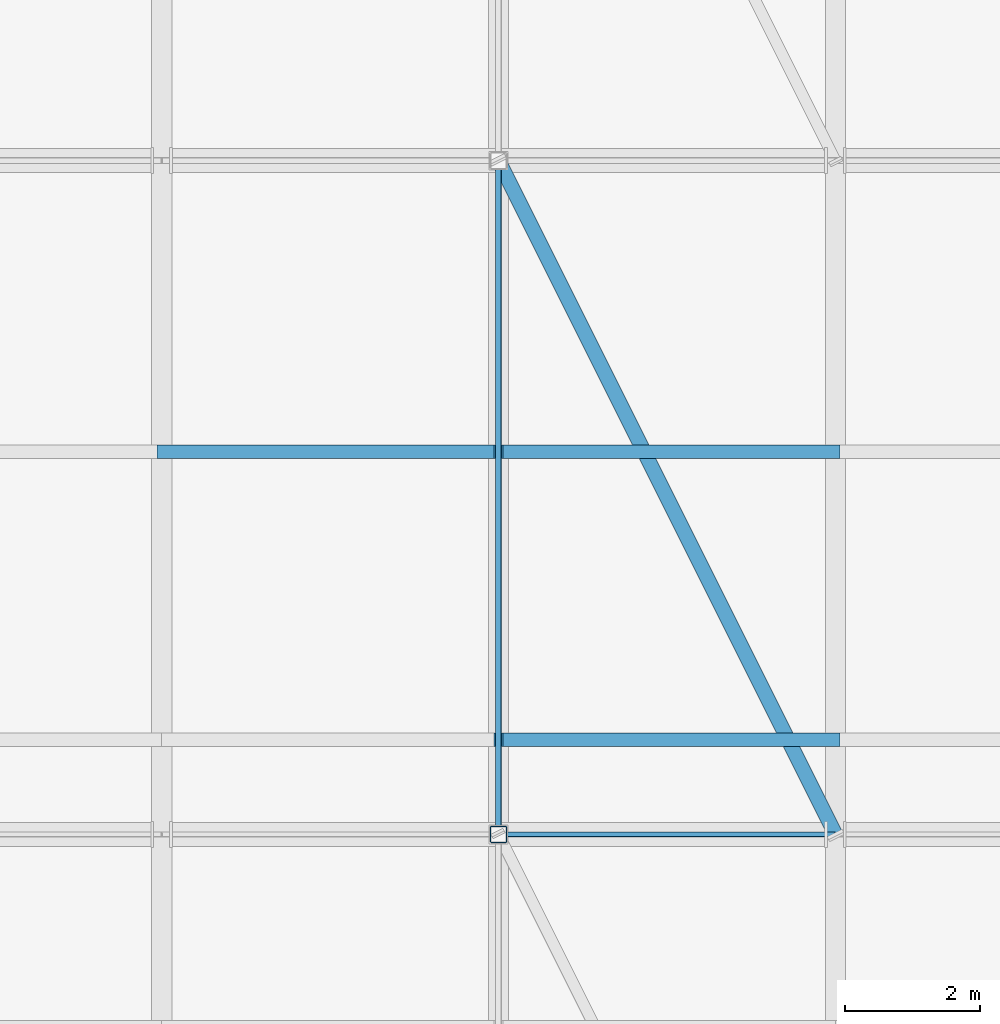
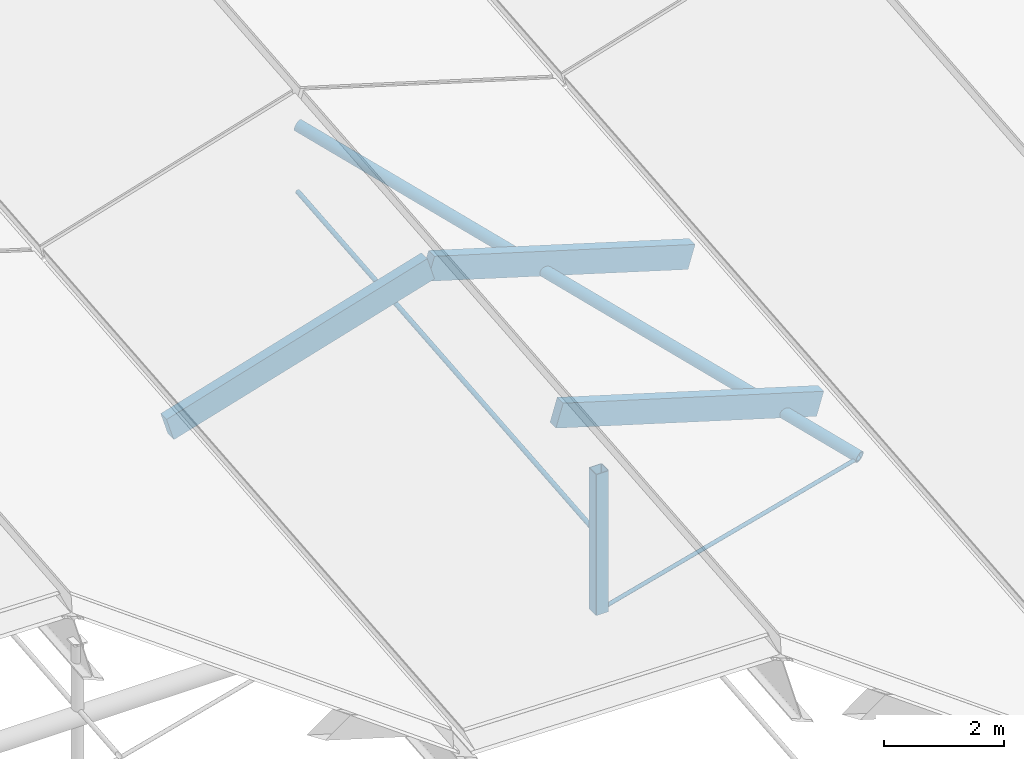
# One storey, part 38 of 90: 7 members.
"""IFC4 building model written with IfcOpenShell, lengths in metres."""

from ifc_helpers import new_model, si_unit, direction, frame, origin, origin_2d, place, context, subcontext, project, spatial, rectangle, hollow_rectangle, circle, hollow_circle, extrude, material, material_profile, profile_set, type_object, element, save


model = new_model("IFC4")

# Units and contexts
model_context = context("Model", 3, precision=1e-05, world=origin(), true_north=direction((0.0, 1.0)))
body_context = subcontext(model_context, "Body", "Model", "MODEL_VIEW")
ifc_project = project(units=[si_unit("LENGTHUNIT", "METRE"), si_unit("AREAUNIT", "SQUARE_METRE"), si_unit("VOLUMEUNIT", "CUBIC_METRE"), si_unit("PLANEANGLEUNIT", "RADIAN"), si_unit("MASSUNIT", "GRAM", prefix="KILO"), si_unit("THERMODYNAMICTEMPERATUREUNIT", "KELVIN"), si_unit("POWERUNIT", "WATT")], contexts=[model_context])

# Site, building, storey
site_placement = place(None, origin())
site = spatial("IfcSite", under=ifc_project, at=site_placement, CompositionType="ELEMENT")
building_placement = place(site_placement, origin())
building = spatial("IfcBuilding", under=site, at=building_placement, Name="Korenveer Ferry Terminal", CompositionType="ELEMENT")
storey_placement = place(building_placement, frame((0.0, 0.0, 22.199951171875)))
storey = spatial("IfcBuildingStorey", under=building, at=storey_placement, Name="RF", CompositionType="ELEMENT", Elevation=22.199951171875)

# Members
ifc_material_1 = material(Name="Steel S355", Category="steel")
ifc_material_profile_1 = material_profile(ifc_material_1, hollow_circle(Radius=0.109619140625, WallThickness=0.012451171875, at=origin_2d()), Name="CHS 219.1x12.5")
ifc_profile_set_1 = profile_set([ifc_material_profile_1], Name="Steel S355")
member_type_1 = type_object("IfcMemberType", Name="STR-BRC-CHS219", PredefinedType="BRACE", material=ifc_profile_set_1)
member_1_placement = place(storey_placement, frame((113.0, 70.0, -6.861572265625), z_axis=(-0.437110045644, 0.874220091289, 0.211362342872), x_axis=(-0.894427191, -0.4472135955, 0.0)))
element("IfcMember", 1, at=member_1_placement, inside=storey, type_object=member_type_1, Name="Roof wind brace BRCRF-B5-Y70", PredefinedType="BRACE", context=body_context, shape_type="SweptSolid", body=[
    extrude(hollow_circle(Radius=0.109619140625, WallThickness=0.012451171875, at=origin_2d()), origin(), (0.0, 0.0, 1.0), 11.438720703125),
])
ifc_material_2 = material(Name="High-strength steel S460", Category="steel")
ifc_material_profile_2 = material_profile(ifc_material_2, circle(Radius=0.0380859375, at=origin_2d()), Name="ROD D76")
ifc_profile_set_2 = profile_set([ifc_material_profile_2], Name="High-strength steel S460")
member_type_2 = type_object("IfcMemberType", Name="STR-CBL-D76", PredefinedType="USERDEFINED", material=ifc_profile_set_2)
member_2_placement = place(storey_placement, frame((113.0, 70.0, -6.861572265625), z_axis=(-0.965424337217, 0.0, -0.260683426993), x_axis=(0.0, -1.0, 0.0)))
element("IfcMember", 2, at=member_2_placement, inside=storey, type_object=member_type_2, Name="Roof tension tie cable 54", ObjectType="CABLE", PredefinedType="USERDEFINED", context=body_context, shape_type="SweptSolid", body=[
    extrude(circle(Radius=0.0380859375, at=origin_2d()), origin(), (0.0, 0.0, 1.0), 5.178955078125),
])
ifc_material_profile_3 = material_profile(ifc_material_2, circle(Radius=0.044921875, at=origin_2d()), Name="ROD D90")
ifc_profile_set_3 = profile_set([ifc_material_profile_3], Name="High-strength steel S460")
member_type_3 = type_object("IfcMemberType", Name="STR-CBL-D90", PredefinedType="USERDEFINED", material=ifc_profile_set_3)
member_3_placement = place(storey_placement, frame((108.0, 70.0, -6.701904296875), z_axis=(0.0, 0.995903364261, 0.090423940715), x_axis=(-1.0, 0.0, 0.0)))
element("IfcMember", 3, at=member_3_placement, inside=storey, type_object=member_type_3, Name="Longitudinal jaw-stay cable 126", ObjectType="CABLE", PredefinedType="USERDEFINED", context=body_context, shape_type="SweptSolid", body=[
    extrude(circle(Radius=0.044921875, at=origin_2d()), origin(), (0.0, 0.0, 1.0), 10.041015625),
])
ifc_material_3 = material(Name="Glulam GL28h", Category="wood")
ifc_material_profile_4 = material_profile(ifc_material_3, rectangle(XDim=0.199951171875, YDim=0.47998046875, at=origin_2d()), Name="GL 200x480")
ifc_profile_set_4 = profile_set([ifc_material_profile_4], Name="Glulam GL28h")
member_type_4 = type_object("IfcMemberType", Name="STR-PUR-GL200", PredefinedType="PURLIN", material=ifc_profile_set_4)
for number, where, z_axis, x_axis, name in (
    (4, (103.0, 75.678466796875, -6.187744140625), (0.957310140112, 0.0, 0.289062788401), (0.0, 1.0, 0.0), "Folded roof glulam purlin 198"),
    (5, (108.0, 71.4072265625, -5.06591796875), (0.957323074362, 0.0, -0.289019949647), (0.0, 1.0, 0.0), "Folded roof glulam purlin 203"),
    (6, (108.0, 75.678466796875, -4.677978515625), (0.957310140112, 0.0, -0.289062788401), (0.0, 1.0, 0.0), "Folded roof glulam purlin 204"),
):
    element("IfcMember", number, at=place(storey_placement, frame(where, z_axis=z_axis, x_axis=x_axis)), inside=storey, type_object=member_type_4, Name=name, PredefinedType="PURLIN", context=body_context, shape_type="SweptSolid", body=[
        extrude(rectangle(XDim=0.199951171875, YDim=0.47998046875, at=origin_2d()), origin(), (0.0, 0.0, 1.0), 5.222900390625),
    ])
ifc_material_profile_5 = material_profile(ifc_material_1, hollow_rectangle(XDim=0.25, YDim=0.25, WallThickness=0.012451171875, InnerFilletRadius=0.012451171875, OuterFilletRadius=0.018798828125, at=origin_2d()), Name="SHS 250x250x12.5")
ifc_profile_set_5 = profile_set([ifc_material_profile_5], Name="Steel S355")
member_type_5 = type_object("IfcMemberType", Name="STR-STT-SHS250", PredefinedType="STRUT", material=ifc_profile_set_5)
member_4_placement = place(storey_placement, frame((108.0, 70.0, -8.211669921875), z_axis=(0.0, 0.0, 1.0), x_axis=(1.0, 0.0, 0.0)))
element("IfcMember", 7, at=member_4_placement, inside=storey, type_object=member_type_5, Name="Roof king-post strut STTKP-Y70-B5", PredefinedType="STRUT", context=body_context, shape_type="SweptSolid", body=[
    extrude(hollow_rectangle(XDim=0.25, YDim=0.25, WallThickness=0.012451171875, InnerFilletRadius=0.012451171875, OuterFilletRadius=0.018798828125, at=origin_2d()), origin(), (0.0, 0.0, 1.0), 2.859619140625),
])

save(model, "model.ifc")
